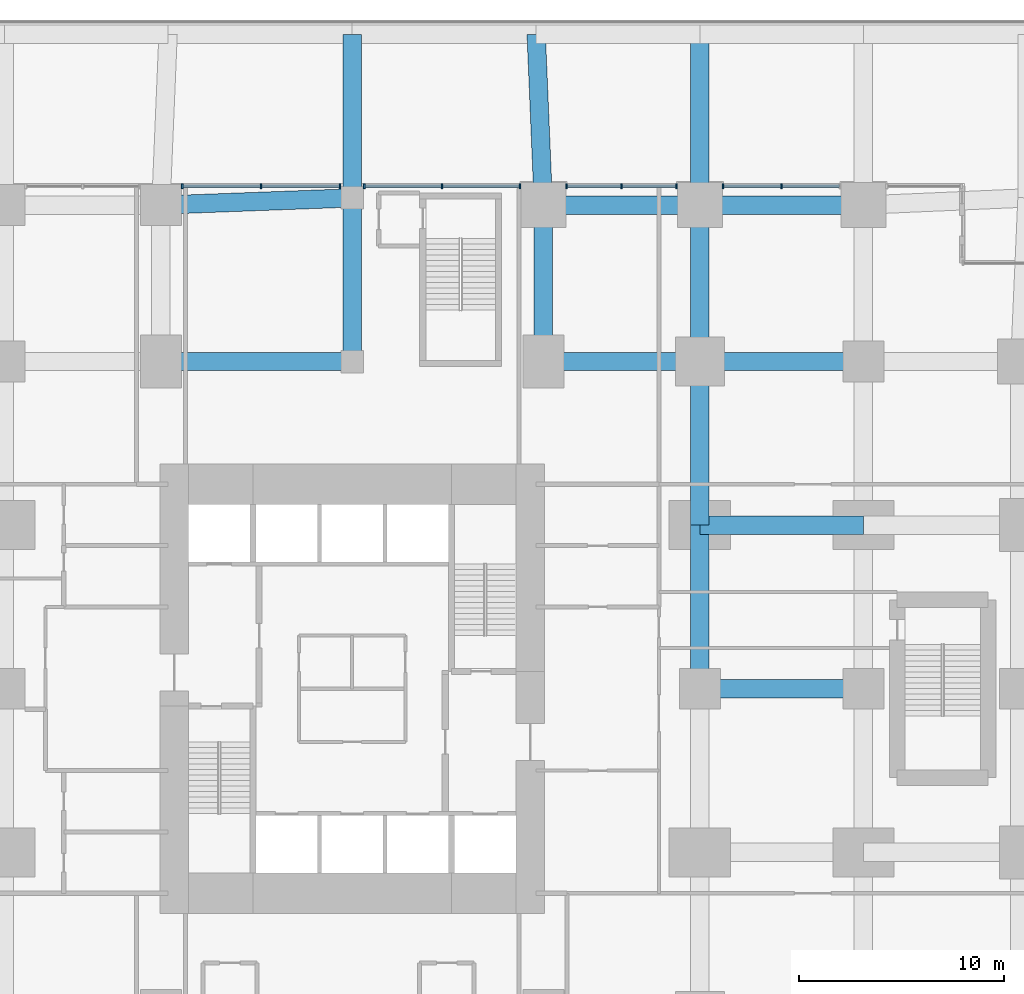
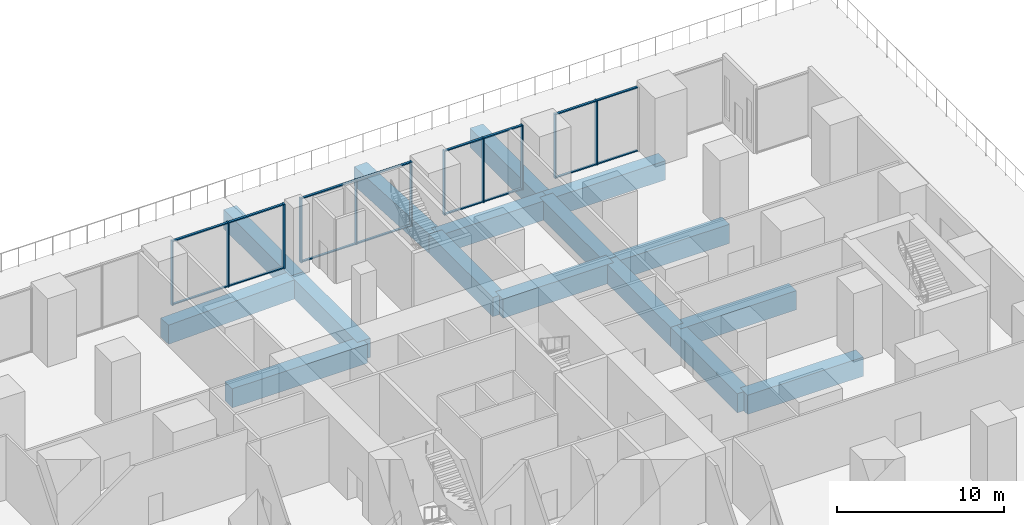
# One storey, part 3 of 16: 27 members, 16 beams, 4 elements without a shape of their own.
"""IFC4 building model written with IfcOpenShell, lengths in metres."""

from ifc_helpers import new_model, si_unit, direction, frame, origin, origin_2d, place, context, subcontext, project, spatial, rectangle, extrude, material, layer, layer_set, material_profile, profile_set, type_object, element, aggregate, save


model = new_model("IFC4")

# Units and contexts
model_context = context("Model", 3, precision=1e-05, world=origin(), true_north=direction((0.0, 1.0)))
body_context = subcontext(model_context, "Body", "Model", "MODEL_VIEW")
ifc_project = project(units=[si_unit("LENGTHUNIT", "METRE"), si_unit("AREAUNIT", "SQUARE_METRE"), si_unit("VOLUMEUNIT", "CUBIC_METRE"), si_unit("PLANEANGLEUNIT", "RADIAN"), si_unit("MASSUNIT", "GRAM", prefix="KILO")], contexts=[model_context])

# Site, building, storey
site_placement = place(None, origin())
site = spatial("IfcSite", under=ifc_project, at=site_placement, CompositionType="ELEMENT")
building_placement = place(site_placement, origin())
building = spatial("IfcBuilding", under=site, at=building_placement, Name="Cleftline Residences", CompositionType="ELEMENT")
storey_placement = place(building_placement, frame((0.0, 0.0, 16.0)))
storey = spatial("IfcBuildingStorey", under=building, at=storey_placement, Name="L03", CompositionType="ELEMENT", Elevation=16.0)

# Beams
ifc_material_1 = material(Name="Concrete B45", Category="concrete")
ifc_material_profile_1 = material_profile(ifc_material_1, rectangle(XDim=0.89990234375, YDim=1.39990234375, at=origin_2d()))
ifc_profile_set_1 = profile_set([ifc_material_profile_1], Name="Concrete B45")
beam_type = type_object("IfcBeamType", Name="BEAM RC900X1400", PredefinedType="BEAM", material=ifc_profile_set_1)
for number, where, z_axis, x_axis, name in (
    (1, (50.0, 24.0, -1.0), (1.0, 0.0, 0.0), (0.0, 1.0, 0.0), "Podium beam"),
    (2, (50.0, 32.0, -1.0), (1.0, 0.0, 0.0), (0.0, 1.0, 0.0), "Podium beam"),
):
    element("IfcBeam", number, at=place(storey_placement, frame(where, z_axis=z_axis, x_axis=x_axis)), inside=storey, type_object=beam_type, Name=name, PredefinedType="BEAM", context=body_context, shape_type="SweptSolid", body=[
        extrude(rectangle(XDim=0.89990234375, YDim=1.39990234375, at=origin_2d()), origin(), (0.0, 0.0, 1.0), 8.0),
    ])
beam_1_placement = place(storey_placement, frame((23.64990234375, 40.0, -1.0), z_axis=(1.0, 0.0, 0.0), x_axis=(0.0, 1.0, 0.0)))
element("IfcBeam", 3, at=beam_1_placement, inside=storey, type_object=beam_type, Name="Podium beam", PredefinedType="BEAM", context=body_context, shape_type="SweptSolid", body=[
    extrude(rectangle(XDim=0.89990234375, YDim=1.39990234375, at=origin_2d()), origin(), (0.0, 0.0, 1.0), 9.35009765625),
])
beam_2_placement = place(storey_placement, frame((42.35009765625, 40.0, -1.0), z_axis=(1.0, 0.0, 0.0), x_axis=(0.0, 1.0, 0.0)))
element("IfcBeam", 4, at=beam_2_placement, inside=storey, type_object=beam_type, Name="Podium beam", PredefinedType="BEAM", context=body_context, shape_type="SweptSolid", body=[
    extrude(rectangle(XDim=0.89990234375, YDim=1.39990234375, at=origin_2d()), origin(), (0.0, 0.0, 1.0), 7.64990234375),
])
beam_3_placement = place(storey_placement, frame((50.0, 40.0, -1.0), z_axis=(1.0, 0.0, 0.0), x_axis=(0.0, 1.0, 0.0)))
element("IfcBeam", 5, at=beam_3_placement, inside=storey, type_object=beam_type, Name="Podium beam", PredefinedType="BEAM", context=body_context, shape_type="SweptSolid", body=[
    extrude(rectangle(XDim=0.89990234375, YDim=1.39990234375, at=origin_2d()), origin(), (0.0, 0.0, 1.0), 8.0),
])
beam_4_placement = place(storey_placement, frame((23.64990234375, 47.64990234375, -1.0), z_axis=(0.999299739303, 0.037416988515, 0.0), x_axis=(-0.037416988515, 0.999299739303, 0.0)))
element("IfcBeam", 6, at=beam_4_placement, inside=storey, type_object=beam_type, Name="Podium beam", PredefinedType="BEAM", context=body_context, shape_type="SweptSolid", body=[
    extrude(rectangle(XDim=0.89990234375, YDim=1.39990234375, at=origin_2d()), origin(), (0.0, 0.0, 1.0), 9.356689453125),
])
beam_5_placement = place(storey_placement, frame((42.35009765625, 47.64990234375, -1.0), z_axis=(1.0, 0.0, 0.0), x_axis=(0.0, 1.0, 0.0)))
element("IfcBeam", 7, at=beam_5_placement, inside=storey, type_object=beam_type, Name="Podium beam", PredefinedType="BEAM", context=body_context, shape_type="SweptSolid", body=[
    extrude(rectangle(XDim=0.89990234375, YDim=1.39990234375, at=origin_2d()), origin(), (0.0, 0.0, 1.0), 7.64990234375),
])
for number, where, z_axis, x_axis, name in (
    (8, (50.0, 47.64990234375, -1.0), (1.0, 0.0, 0.0), (0.0, 1.0, 0.0), "Podium beam"),
    (9, (33.0, 40.0, -1.0), (0.0, 1.0, 0.0), (-1.0, 0.0, 0.0), "Podium beam"),
    (10, (33.0, 48.0, -1.0), (0.0, 1.0, 0.0), (-1.0, 0.0, 0.0), "Podium beam"),
):
    element("IfcBeam", number, at=place(storey_placement, frame(where, z_axis=z_axis, x_axis=x_axis)), inside=storey, type_object=beam_type, Name=name, PredefinedType="BEAM", context=body_context, shape_type="SweptSolid", body=[
        extrude(rectangle(XDim=0.89990234375, YDim=1.39990234375, at=origin_2d()), origin(), (0.0, 0.0, 1.0), 8.0),
    ])
beam_6_placement = place(storey_placement, frame((42.35009765625, 40.0, -1.0), z_axis=(0.0, 1.0, 0.0), x_axis=(-1.0, 0.0, 0.0)))
element("IfcBeam", 11, at=beam_6_placement, inside=storey, type_object=beam_type, Name="Podium beam", PredefinedType="BEAM", context=body_context, shape_type="SweptSolid", body=[
    extrude(rectangle(XDim=0.89990234375, YDim=1.39990234375, at=origin_2d()), origin(), (0.0, 0.0, 1.0), 7.64990234375),
])
beam_7_placement = place(storey_placement, frame((42.35009765625, 47.64990234375, -1.0), z_axis=(-0.041890569024, 0.999122204851, 0.0), x_axis=(-0.999122204851, -0.041890569024, 0.0)))
element("IfcBeam", 12, at=beam_7_placement, inside=storey, type_object=beam_type, Name="Podium beam", PredefinedType="BEAM", context=body_context, shape_type="SweptSolid", body=[
    extrude(rectangle(XDim=0.89990234375, YDim=1.39990234375, at=origin_2d()), origin(), (0.0, 0.0, 1.0), 8.357421875),
])
for number, where, z_axis, x_axis, name in (
    (13, (50.0, 24.0, -1.0), (0.0, 1.0, 0.0), (-1.0, 0.0, 0.0), "Podium beam"),
    (14, (50.0, 32.0, -1.0), (0.0, 1.0, 0.0), (-1.0, 0.0, 0.0), "Podium beam"),
):
    element("IfcBeam", number, at=place(storey_placement, frame(where, z_axis=z_axis, x_axis=x_axis)), inside=storey, type_object=beam_type, Name=name, PredefinedType="BEAM", context=body_context, shape_type="SweptSolid", body=[
        extrude(rectangle(XDim=0.89990234375, YDim=1.39990234375, at=origin_2d()), origin(), (0.0, 0.0, 1.0), 8.0),
    ])
beam_8_placement = place(storey_placement, frame((50.0, 40.0, -1.0), z_axis=(0.0, 1.0, 0.0), x_axis=(-1.0, 0.0, 0.0)))
element("IfcBeam", 15, at=beam_8_placement, inside=storey, type_object=beam_type, Name="Podium beam", PredefinedType="BEAM", context=body_context, shape_type="SweptSolid", body=[
    extrude(rectangle(XDim=0.89990234375, YDim=1.39990234375, at=origin_2d()), origin(), (0.0, 0.0, 1.0), 7.64990234375),
])
beam_9_placement = place(storey_placement, frame((50.0, 47.64990234375, -1.0), z_axis=(0.0, 1.0, 0.0), x_axis=(-1.0, 0.0, 0.0)))
element("IfcBeam", 16, at=beam_9_placement, inside=storey, type_object=beam_type, Name="Podium beam", PredefinedType="BEAM", context=body_context, shape_type="SweptSolid", body=[
    extrude(rectangle(XDim=0.89990234375, YDim=1.39990234375, at=origin_2d()), origin(), (0.0, 0.0, 1.0), 8.35009765625),
])

# Curtain wall, members
ifc_material_2 = material(Name="Aluminium framed curtain wall", Category="aluminium")
ifc_layer = layer(ifc_material_2, 0.199951171875)
ifc_layer_set = layer_set([ifc_layer], Name="CW2 PODIUM GLAZING")
curtain_wall_type = type_object("IfcCurtainWallType", Name="CW2 PODIUM GLAZING", PredefinedType="NOTDEFINED", material=ifc_layer_set)
curtain_wall_1_placement = place(storey_placement, origin())
curtain_wall_1 = element("IfcCurtainWall", 17, at=curtain_wall_1_placement, inside=storey, type_object=curtain_wall_type, Name="Curtain wall CW2", PredefinedType="NOTDEFINED")
ifc_material_3 = material(Name="Aluminium mullion", Category="aluminium")
ifc_material_profile_2 = material_profile(ifc_material_3, rectangle(XDim=0.25, YDim=0.080078125, at=origin_2d()))
ifc_profile_set_2 = profile_set([ifc_material_profile_2], Name="Aluminium mullion")
member_type_1 = type_object("IfcMemberType", Name="CW2 MULLION", PredefinedType="MULLION", material=ifc_profile_set_2)
member_1_placement = place(storey_placement, frame((54.0, 48.574951171875, 0.0), z_axis=(0.0, 0.0, 1.0), x_axis=(0.0, -1.0, 0.0)))
member_1 = element("IfcMember", 18, at=member_1_placement, type_object=member_type_1, Name="CW2 mullion 2", PredefinedType="MULLION", context=body_context, shape_type="SweptSolid", body=[
    extrude(rectangle(XDim=0.25, YDim=0.080078125, at=origin_2d()), origin(), (0.0, 0.0, 1.0), 4.699951171875),
])
member_2_placement = place(storey_placement, frame((51.139892578125, 48.574951171875, 0.0), z_axis=(0.0, 0.0, 1.0), x_axis=(0.0, -1.0, 0.0)))
member_2 = element("IfcMember", 19, at=member_2_placement, type_object=member_type_1, Name="CW2 mullion 3", PredefinedType="MULLION", context=body_context, shape_type="SweptSolid", body=[
    extrude(rectangle(XDim=0.25, YDim=0.080078125, at=origin_2d()), origin(), (0.0, 0.0, 1.0), 4.699951171875),
])

curtain_wall_2_placement = place(storey_placement, origin())
curtain_wall_2 = element("IfcCurtainWall", 20, at=curtain_wall_2_placement, inside=storey, type_object=curtain_wall_type, Name="Curtain wall CW2", PredefinedType="NOTDEFINED")
member_3_placement = place(storey_placement, frame((48.860107421875, 48.574951171875, 0.0), z_axis=(0.0, 0.0, 1.0), x_axis=(0.0, -1.0, 0.0)))
member_3 = element("IfcMember", 21, at=member_3_placement, type_object=member_type_1, Name="CW2 mullion 1", PredefinedType="MULLION", context=body_context, shape_type="SweptSolid", body=[
    extrude(rectangle(XDim=0.25, YDim=0.080078125, at=origin_2d()), origin(), (0.0, 0.0, 1.0), 4.699951171875),
])
member_4_placement = place(storey_placement, frame((46.175048828125, 48.574951171875, 0.0), z_axis=(0.0, 0.0, 1.0), x_axis=(0.0, -1.0, 0.0)))
member_4 = element("IfcMember", 22, at=member_4_placement, type_object=member_type_1, Name="CW2 mullion 2", PredefinedType="MULLION", context=body_context, shape_type="SweptSolid", body=[
    extrude(rectangle(XDim=0.25, YDim=0.080078125, at=origin_2d()), origin(), (0.0, 0.0, 1.0), 4.699951171875),
])
member_5_placement = place(storey_placement, frame((43.489990234375, 48.574951171875, 0.0), z_axis=(0.0, 0.0, 1.0), x_axis=(0.0, -1.0, 0.0)))
member_5 = element("IfcMember", 23, at=member_5_placement, type_object=member_type_1, Name="CW2 mullion 3", PredefinedType="MULLION", context=body_context, shape_type="SweptSolid", body=[
    extrude(rectangle(XDim=0.25, YDim=0.080078125, at=origin_2d()), origin(), (0.0, 0.0, 1.0), 4.699951171875),
])

curtain_wall_3_placement = place(storey_placement, origin())
curtain_wall_3 = element("IfcCurtainWall", 24, at=curtain_wall_3_placement, inside=storey, type_object=curtain_wall_type, Name="Curtain wall CW2", PredefinedType="NOTDEFINED")
member_6_placement = place(storey_placement, frame((41.2099609375, 48.574951171875, 0.0), z_axis=(0.0, 0.0, 1.0), x_axis=(0.0, -1.0, 0.0)))
member_6 = element("IfcMember", 25, at=member_6_placement, type_object=member_type_1, Name="CW2 mullion 1", PredefinedType="MULLION", context=body_context, shape_type="SweptSolid", body=[
    extrude(rectangle(XDim=0.25, YDim=0.080078125, at=origin_2d()), origin(), (0.0, 0.0, 1.0), 4.699951171875),
])
member_7_placement = place(storey_placement, frame((37.39990234375, 48.574951171875, 0.0), z_axis=(0.0, 0.0, 1.0), x_axis=(0.0, -1.0, 0.0)))
member_7 = element("IfcMember", 26, at=member_7_placement, type_object=member_type_1, Name="CW2 mullion 2", PredefinedType="MULLION", context=body_context, shape_type="SweptSolid", body=[
    extrude(rectangle(XDim=0.25, YDim=0.080078125, at=origin_2d()), origin(), (0.0, 0.0, 1.0), 4.699951171875),
])
member_8_placement = place(storey_placement, frame((33.590087890625, 48.574951171875, 0.0), z_axis=(0.0, 0.0, 1.0), x_axis=(0.0, -1.0, 0.0)))
member_8 = element("IfcMember", 27, at=member_8_placement, type_object=member_type_1, Name="CW2 mullion 3", PredefinedType="MULLION", context=body_context, shape_type="SweptSolid", body=[
    extrude(rectangle(XDim=0.25, YDim=0.080078125, at=origin_2d()), origin(), (0.0, 0.0, 1.0), 4.699951171875),
])

curtain_wall_4_placement = place(storey_placement, origin())
curtain_wall_4 = element("IfcCurtainWall", 28, at=curtain_wall_4_placement, inside=storey, type_object=curtain_wall_type, Name="Curtain wall CW2", PredefinedType="NOTDEFINED")
member_9_placement = place(storey_placement, frame((32.409912109375, 48.574951171875, 0.0), z_axis=(0.0, 0.0, 1.0), x_axis=(0.0, -1.0, 0.0)))
member_9 = element("IfcMember", 29, at=member_9_placement, type_object=member_type_1, Name="CW2 mullion 1", PredefinedType="MULLION", context=body_context, shape_type="SweptSolid", body=[
    extrude(rectangle(XDim=0.25, YDim=0.080078125, at=origin_2d()), origin(), (0.0, 0.0, 1.0), 4.699951171875),
])
member_10_placement = place(storey_placement, frame((28.550048828125, 48.574951171875, 0.0), z_axis=(0.0, 0.0, 1.0), x_axis=(0.0, -1.0, 0.0)))
member_10 = element("IfcMember", 30, at=member_10_placement, type_object=member_type_1, Name="CW2 mullion 2", PredefinedType="MULLION", context=body_context, shape_type="SweptSolid", body=[
    extrude(rectangle(XDim=0.25, YDim=0.080078125, at=origin_2d()), origin(), (0.0, 0.0, 1.0), 4.699951171875),
])
member_11_placement = place(storey_placement, frame((24.68994140625, 48.574951171875, 0.0), z_axis=(0.0, 0.0, 1.0), x_axis=(0.0, -1.0, 0.0)))
member_11 = element("IfcMember", 31, at=member_11_placement, type_object=member_type_1, Name="CW2 mullion 3", PredefinedType="MULLION", context=body_context, shape_type="SweptSolid", body=[
    extrude(rectangle(XDim=0.25, YDim=0.080078125, at=origin_2d()), origin(), (0.0, 0.0, 1.0), 4.699951171875),
])

# Member
ifc_material_4 = material(Name="Aluminium transom", Category="aluminium")
ifc_material_profile_3 = material_profile(ifc_material_4, rectangle(XDim=0.14990234375, YDim=0.080078125, at=origin_2d()))
ifc_profile_set_3 = profile_set([ifc_material_profile_3], Name="Aluminium transom")
member_type_2 = type_object("IfcMemberType", Name="CW2 TRANSOM", PredefinedType="USERDEFINED", material=ifc_profile_set_3)
member_12_placement = place(storey_placement, frame((56.820068359375, 48.574951171875, 0.0400390625), z_axis=(-1.0, 0.0, 0.0), x_axis=(0.0, -1.0, 0.0)))
member_12 = element("IfcMember", 32, at=member_12_placement, type_object=member_type_2, Name="CW2 transom 1.1", ObjectType="TRANSOM", PredefinedType="USERDEFINED", context=body_context, shape_type="SweptSolid", body=[
    extrude(rectangle(XDim=0.14990234375, YDim=0.080078125, at=origin_2d()), origin(), (0.0, 0.0, 1.0), 2.780029296875),
])

member_13_placement = place(storey_placement, frame((56.820068359375, 48.574951171875, 4.659912109375), z_axis=(-1.0, 0.0, 0.0), x_axis=(0.0, -1.0, 0.0)))
member_13 = element("IfcMember", 33, at=member_13_placement, type_object=member_type_2, Name="CW2 transom 1.2", ObjectType="TRANSOM", PredefinedType="USERDEFINED", context=body_context, shape_type="SweptSolid", body=[
    extrude(rectangle(XDim=0.14990234375, YDim=0.080078125, at=origin_2d()), origin(), (0.0, 0.0, 1.0), 2.780029296875),
])

member_14_placement = place(storey_placement, frame((53.9599609375, 48.574951171875, 0.0400390625), z_axis=(-1.0, 0.0, 0.0), x_axis=(0.0, -1.0, 0.0)))
member_14 = element("IfcMember", 34, at=member_14_placement, type_object=member_type_2, Name="CW2 transom 2.1", ObjectType="TRANSOM", PredefinedType="USERDEFINED", context=body_context, shape_type="SweptSolid", body=[
    extrude(rectangle(XDim=0.14990234375, YDim=0.080078125, at=origin_2d()), origin(), (0.0, 0.0, 1.0), 2.780029296875),
])

member_15_placement = place(storey_placement, frame((53.9599609375, 48.574951171875, 4.659912109375), z_axis=(-1.0, 0.0, 0.0), x_axis=(0.0, -1.0, 0.0)))
member_15 = element("IfcMember", 35, at=member_15_placement, type_object=member_type_2, Name="CW2 transom 2.2", ObjectType="TRANSOM", PredefinedType="USERDEFINED", context=body_context, shape_type="SweptSolid", body=[
    extrude(rectangle(XDim=0.14990234375, YDim=0.080078125, at=origin_2d()), origin(), (0.0, 0.0, 1.0), 2.780029296875),
])

aggregate(curtain_wall_1, [member_1, member_2, member_12, member_13, member_14, member_15])

member_16_placement = place(storey_placement, frame((48.820068359375, 48.574951171875, 0.0400390625), z_axis=(-1.0, 0.0, 0.0), x_axis=(0.0, -1.0, 0.0)))
member_16 = element("IfcMember", 36, at=member_16_placement, type_object=member_type_2, Name="CW2 transom 1.1", ObjectType="TRANSOM", PredefinedType="USERDEFINED", context=body_context, shape_type="SweptSolid", body=[
    extrude(rectangle(XDim=0.14990234375, YDim=0.080078125, at=origin_2d()), origin(), (0.0, 0.0, 1.0), 2.60498046875),
])

member_17_placement = place(storey_placement, frame((48.820068359375, 48.574951171875, 4.659912109375), z_axis=(-1.0, 0.0, 0.0), x_axis=(0.0, -1.0, 0.0)))
member_17 = element("IfcMember", 37, at=member_17_placement, type_object=member_type_2, Name="CW2 transom 1.2", ObjectType="TRANSOM", PredefinedType="USERDEFINED", context=body_context, shape_type="SweptSolid", body=[
    extrude(rectangle(XDim=0.14990234375, YDim=0.080078125, at=origin_2d()), origin(), (0.0, 0.0, 1.0), 2.60498046875),
])

member_18_placement = place(storey_placement, frame((46.135009765625, 48.574951171875, 0.0400390625), z_axis=(-1.0, 0.0, 0.0), x_axis=(0.0, -1.0, 0.0)))
member_18 = element("IfcMember", 38, at=member_18_placement, type_object=member_type_2, Name="CW2 transom 2.1", ObjectType="TRANSOM", PredefinedType="USERDEFINED", context=body_context, shape_type="SweptSolid", body=[
    extrude(rectangle(XDim=0.14990234375, YDim=0.080078125, at=origin_2d()), origin(), (0.0, 0.0, 1.0), 2.60498046875),
])

member_19_placement = place(storey_placement, frame((46.135009765625, 48.574951171875, 4.659912109375), z_axis=(-1.0, 0.0, 0.0), x_axis=(0.0, -1.0, 0.0)))
member_19 = element("IfcMember", 39, at=member_19_placement, type_object=member_type_2, Name="CW2 transom 2.2", ObjectType="TRANSOM", PredefinedType="USERDEFINED", context=body_context, shape_type="SweptSolid", body=[
    extrude(rectangle(XDim=0.14990234375, YDim=0.080078125, at=origin_2d()), origin(), (0.0, 0.0, 1.0), 2.60498046875),
])

aggregate(curtain_wall_2, [member_3, member_4, member_5, member_16, member_17, member_18, member_19])

member_20_placement = place(storey_placement, frame((41.169921875, 48.574951171875, 0.0400390625), z_axis=(-1.0, 0.0, 0.0), x_axis=(0.0, -1.0, 0.0)))
member_20 = element("IfcMember", 40, at=member_20_placement, type_object=member_type_2, Name="CW2 transom 1.1", ObjectType="TRANSOM", PredefinedType="USERDEFINED", context=body_context, shape_type="SweptSolid", body=[
    extrude(rectangle(XDim=0.14990234375, YDim=0.080078125, at=origin_2d()), origin(), (0.0, 0.0, 1.0), 3.72998046875),
])

member_21_placement = place(storey_placement, frame((41.169921875, 48.574951171875, 4.659912109375), z_axis=(-1.0, 0.0, 0.0), x_axis=(0.0, -1.0, 0.0)))
member_21 = element("IfcMember", 41, at=member_21_placement, type_object=member_type_2, Name="CW2 transom 1.2", ObjectType="TRANSOM", PredefinedType="USERDEFINED", context=body_context, shape_type="SweptSolid", body=[
    extrude(rectangle(XDim=0.14990234375, YDim=0.080078125, at=origin_2d()), origin(), (0.0, 0.0, 1.0), 3.72998046875),
])

member_22_placement = place(storey_placement, frame((37.360107421875, 48.574951171875, 0.0400390625), z_axis=(-1.0, 0.0, 0.0), x_axis=(0.0, -1.0, 0.0)))
member_22 = element("IfcMember", 42, at=member_22_placement, type_object=member_type_2, Name="CW2 transom 2.1", ObjectType="TRANSOM", PredefinedType="USERDEFINED", context=body_context, shape_type="SweptSolid", body=[
    extrude(rectangle(XDim=0.14990234375, YDim=0.080078125, at=origin_2d()), origin(), (0.0, 0.0, 1.0), 3.730224609375),
])

member_23_placement = place(storey_placement, frame((37.360107421875, 48.574951171875, 4.659912109375), z_axis=(-1.0, 0.0, 0.0), x_axis=(0.0, -1.0, 0.0)))
member_23 = element("IfcMember", 43, at=member_23_placement, type_object=member_type_2, Name="CW2 transom 2.2", ObjectType="TRANSOM", PredefinedType="USERDEFINED", context=body_context, shape_type="SweptSolid", body=[
    extrude(rectangle(XDim=0.14990234375, YDim=0.080078125, at=origin_2d()), origin(), (0.0, 0.0, 1.0), 3.730224609375),
])

aggregate(curtain_wall_3, [member_6, member_7, member_8, member_20, member_21, member_22, member_23])

member_24_placement = place(storey_placement, frame((32.3701171875, 48.574951171875, 0.0400390625), z_axis=(-1.0, 0.0, 0.0), x_axis=(0.0, -1.0, 0.0)))
member_24 = element("IfcMember", 44, at=member_24_placement, type_object=member_type_2, Name="CW2 transom 1.1", ObjectType="TRANSOM", PredefinedType="USERDEFINED", context=body_context, shape_type="SweptSolid", body=[
    extrude(rectangle(XDim=0.14990234375, YDim=0.080078125, at=origin_2d()), origin(), (0.0, 0.0, 1.0), 3.780029296875),
])

member_25_placement = place(storey_placement, frame((32.3701171875, 48.574951171875, 4.659912109375), z_axis=(-1.0, 0.0, 0.0), x_axis=(0.0, -1.0, 0.0)))
member_25 = element("IfcMember", 45, at=member_25_placement, type_object=member_type_2, Name="CW2 transom 1.2", ObjectType="TRANSOM", PredefinedType="USERDEFINED", context=body_context, shape_type="SweptSolid", body=[
    extrude(rectangle(XDim=0.14990234375, YDim=0.080078125, at=origin_2d()), origin(), (0.0, 0.0, 1.0), 3.780029296875),
])

member_26_placement = place(storey_placement, frame((28.510009765625, 48.574951171875, 0.0400390625), z_axis=(-1.0, 0.0, 0.0), x_axis=(0.0, -1.0, 0.0)))
member_26 = element("IfcMember", 46, at=member_26_placement, type_object=member_type_2, Name="CW2 transom 2.1", ObjectType="TRANSOM", PredefinedType="USERDEFINED", context=body_context, shape_type="SweptSolid", body=[
    extrude(rectangle(XDim=0.14990234375, YDim=0.080078125, at=origin_2d()), origin(), (0.0, 0.0, 1.0), 3.780029296875),
])

member_27_placement = place(storey_placement, frame((28.510009765625, 48.574951171875, 4.659912109375), z_axis=(-1.0, 0.0, 0.0), x_axis=(0.0, -1.0, 0.0)))
member_27 = element("IfcMember", 47, at=member_27_placement, type_object=member_type_2, Name="CW2 transom 2.2", ObjectType="TRANSOM", PredefinedType="USERDEFINED", context=body_context, shape_type="SweptSolid", body=[
    extrude(rectangle(XDim=0.14990234375, YDim=0.080078125, at=origin_2d()), origin(), (0.0, 0.0, 1.0), 3.780029296875),
])

aggregate(curtain_wall_4, [member_9, member_10, member_11, member_24, member_25, member_26, member_27])

save(model, "model.ifc")
